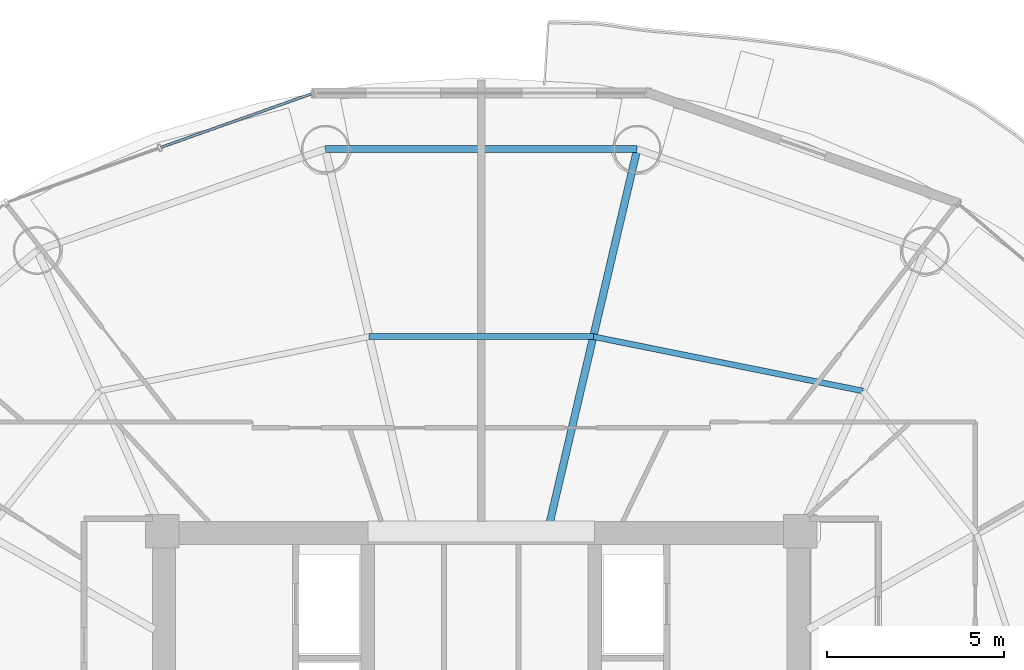
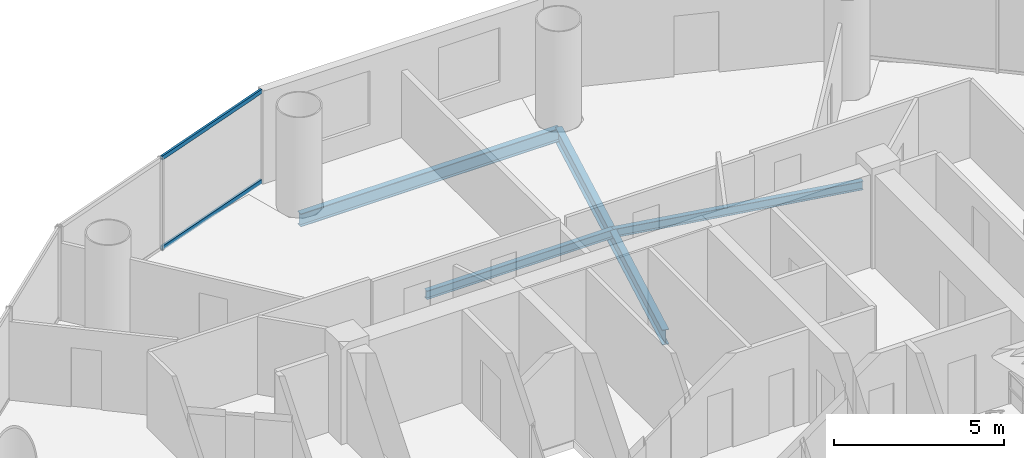
# One storey, part 16 of 27: 4 beams, 2 members, 1 element without a shape of its own.
"""IFC4 building model written with IfcOpenShell, lengths in metres."""

from ifc_helpers import new_model, si_unit, direction, frame, origin, origin_2d, place, context, subcontext, project, spatial, hollow_rectangle, i_section, extrude, source, transform, mapped, material, material_profile, profile_set, type_object, element, aggregate, save


model = new_model("IFC4")

# Units and contexts
model_context = context("Model", 3, precision=1e-05, world=origin(), true_north=direction((-0.2419218956, 0.970295726276)))
body_context = subcontext(model_context, "Body", "Model", "MODEL_VIEW")
ifc_project = project(units=[si_unit("LENGTHUNIT", "METRE"), si_unit("AREAUNIT", "SQUARE_METRE"), si_unit("VOLUMEUNIT", "CUBIC_METRE"), si_unit("PLANEANGLEUNIT", "RADIAN"), si_unit("MASSUNIT", "GRAM", prefix="KILO")], contexts=[model_context])

# Site, building, storey
site_placement = place(None, origin())
site = spatial("IfcSite", under=ifc_project, at=site_placement, CompositionType="ELEMENT")
building_placement = place(site_placement, origin())
building = spatial("IfcBuilding", under=site, at=building_placement, Name="Cobrevalo Terracotta Tower", CompositionType="ELEMENT")
storey_placement = place(building_placement, frame((0.0, 0.0, 149.800048828125)))
storey = spatial("IfcBuildingStorey", under=building, at=storey_placement, Name="L39", CompositionType="ELEMENT", Elevation=149.800048828125)

# Beams
ifc_material_1 = material(Name="Steel S355", Category="steel")
ifc_material_profile_1 = material_profile(ifc_material_1, i_section(OverallWidth=0.2109375, OverallDepth=0.5390625, WebThickness=0.01171875, FlangeThickness=0.018798828125, at=origin_2d()), Name="W 530x109")
ifc_profile_set_1 = profile_set([ifc_material_profile_1], Name="Steel S355")
beam_type_1 = type_object("IfcBeamType", Name="Structural Beam W 530x109 (Steel S355)", PredefinedType="BEAM", material=ifc_profile_set_1)
beam_1_placement = place(storey_placement, frame((42.399169921875, 45.58203125, -0.53955078125), z_axis=(-0.228040864186, -0.973651562039, 0.0), x_axis=(0.973651562039, -0.228040864186, 0.0)))
element("IfcBeam", 1, at=beam_1_placement, inside=storey, type_object=beam_type_1, Name="L39 radial floor girder 04", PredefinedType="BEAM", context=body_context, shape_type="SweptSolid", body=[
    extrude(i_section(OverallWidth=0.2109375, OverallDepth=0.5390625, WebThickness=0.01171875, FlangeThickness=0.018798828125, at=origin_2d()), origin(), (0.0, 0.0, 1.0), 10.86328125),
])
ifc_material_profile_2 = material_profile(ifc_material_1, i_section(OverallWidth=0.1650390625, OverallDepth=0.31005859375, WebThickness=0.005859375, FlangeThickness=0.009765625, at=origin_2d()), Name="W 310x38.7")
ifc_profile_set_2 = profile_set([ifc_material_profile_2], Name="Steel S355")
beam_type_2 = type_object("IfcBeamType", Name="Structural Joist W 310x38.7 (Steel S355)", PredefinedType="JOIST", material=ifc_profile_set_2)
beam_2_placement = place(storey_placement, frame((48.76416015625, 38.76123046875, -0.425048828125), z_axis=(-0.980293928329, 0.197544461026, 0.0), x_axis=(-0.197544461026, -0.980293928329, 0.0)))
element("IfcBeam", 2, at=beam_2_placement, inside=storey, type_object=beam_type_2, Name="L39 circumferential secondary floor joist 03", PredefinedType="JOIST", context=body_context, shape_type="SweptSolid", body=[
    extrude(i_section(OverallWidth=0.1650390625, OverallDepth=0.31005859375, WebThickness=0.005859375, FlangeThickness=0.009765625, at=origin_2d()), origin(), (0.0, 0.0, 1.0), 7.75634765625),
])
beam_3_placement = place(storey_placement, frame((41.16064453125, 40.29345703125, -0.425048828125), z_axis=(-1.0, 0.0, 0.0), x_axis=(0.0, -1.0, 0.0)))
element("IfcBeam", 3, at=beam_3_placement, inside=storey, type_object=beam_type_2, Name="L39 circumferential secondary floor joist 04", PredefinedType="JOIST", context=body_context, shape_type="SweptSolid", body=[
    extrude(i_section(OverallWidth=0.1650390625, OverallDepth=0.31005859375, WebThickness=0.005859375, FlangeThickness=0.009765625, at=origin_2d()), origin(), (0.0, 0.0, 1.0), 6.3212890625),
])
ifc_material_profile_3 = material_profile(ifc_material_1, i_section(OverallWidth=0.194091796875, OverallDepth=0.468994140625, WebThickness=0.011474609375, FlangeThickness=0.0205078125, at=origin_2d()), Name="W 460x106")
ifc_profile_set_3 = profile_set([ifc_material_profile_3], Name="Steel S355")
beam_type_3 = type_object("IfcBeamType", Name="Structural Spandrel W 460x106 (Steel S355)", PredefinedType="SPANDREL", material=ifc_profile_set_3)
beam_4_placement = place(storey_placement, frame((42.399169921875, 45.58203125, -0.504638671875), z_axis=(-1.0, 0.0, 0.0), x_axis=(0.0, -1.0, 0.0)))
element("IfcBeam", 4, at=beam_4_placement, inside=storey, type_object=beam_type_3, Name="L39 perimeter ring spandrel 04", PredefinedType="SPANDREL", context=body_context, shape_type="SweptSolid", body=[
    extrude(i_section(OverallWidth=0.194091796875, OverallDepth=0.468994140625, WebThickness=0.011474609375, FlangeThickness=0.0205078125, at=origin_2d()), origin(), (0.0, 0.0, 1.0), 8.79833984375),
])

# Curtain wall, members
ifc_material_2 = material(Name="Anodized aluminium", Category="aluminium")
curtain_wall_type = type_object("IfcCurtainWallType", Name="Mid-tower high-wind unitised curtain wall CW-U2", PredefinedType="NOTDEFINED", material=ifc_material_2)
curtain_wall_placement = place(storey_placement, origin())
curtain_wall = element("IfcCurtainWall", 5, at=curtain_wall_placement, inside=storey, type_object=curtain_wall_type, Name="L39 curtain wall CW-L39-S05", PredefinedType="NOTDEFINED")
ifc_material_profile_4 = material_profile(ifc_material_2, hollow_rectangle(XDim=0.074951171875, YDim=0.14990234375, WallThickness=0.00439453125, at=origin_2d()), Name="CWT 75x150")
ifc_profile_set_4 = profile_set([ifc_material_profile_4], Name="Anodized aluminium")
member_type = type_object("IfcMemberType", Name="Tower unitised aluminium transom 75x150", PredefinedType="USERDEFINED", material=ifc_profile_set_4)
shared_shape = source(origin(), body_context, "Body", "SweptSolid", [
    extrude(hollow_rectangle(XDim=0.074951171875, YDim=0.14990234375, WallThickness=0.00439453125, at=origin_2d()), origin(), (0.0, 0.0, 1.0), 4.50390625),
])
member_1_placement = place(storey_placement, frame((33.209228515625, 47.14404296875, 0.050048828125), z_axis=(-0.94210437316, -0.335319772863, 0.0), x_axis=(0.335319772863, -0.94210437316, 0.0)))
member_1 = element("IfcMember", 6, at=member_1_placement, type_object=member_type, Name="CW-L39-S05 transom B01-T1", ObjectType="TRANSOM", PredefinedType="USERDEFINED", context=body_context, shape_type="MappedRepresentation", body=[
    mapped(shared_shape, transform((0.0, 0.0, 0.0), scale=1.0)),
])
member_2_placement = place(storey_placement, frame((33.209228515625, 47.14404296875, 3.280029296875), z_axis=(-0.94210437316, -0.335319772863, 0.0), x_axis=(0.335319772863, -0.94210437316, 0.0)))
member_2 = element("IfcMember", 7, at=member_2_placement, type_object=member_type, Name="CW-L39-S05 transom B01-T2", ObjectType="TRANSOM", PredefinedType="USERDEFINED", context=body_context, shape_type="MappedRepresentation", body=[
    mapped(shared_shape, transform((0.0, 0.0, 0.0), scale=1.0)),
])
aggregate(curtain_wall, [member_1, member_2])

save(model, "model.ifc")
